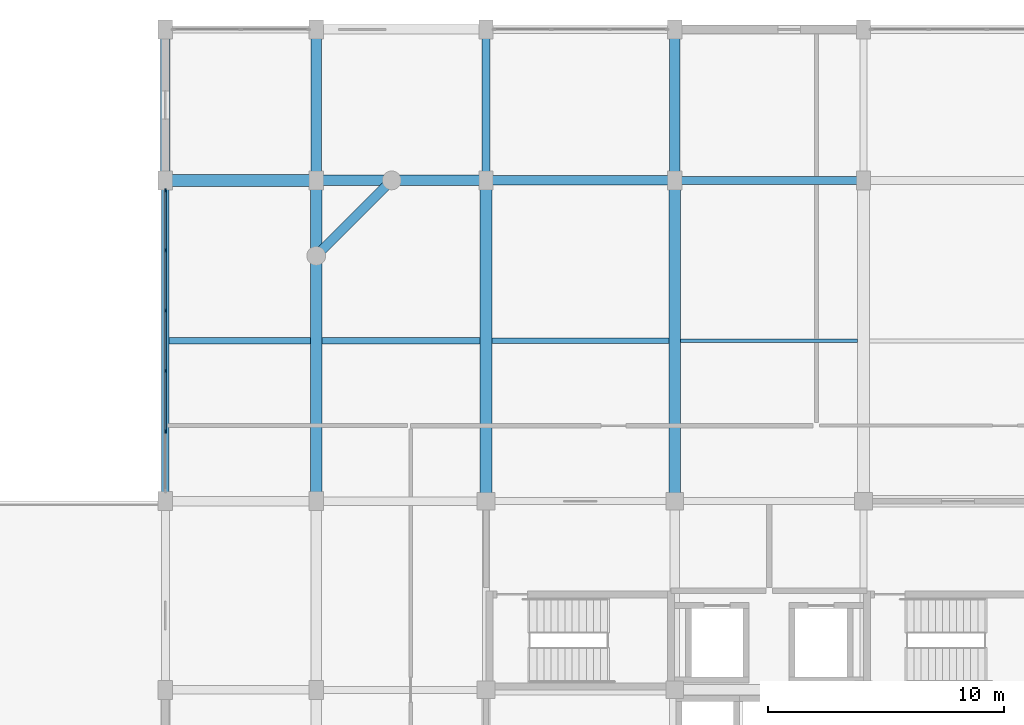
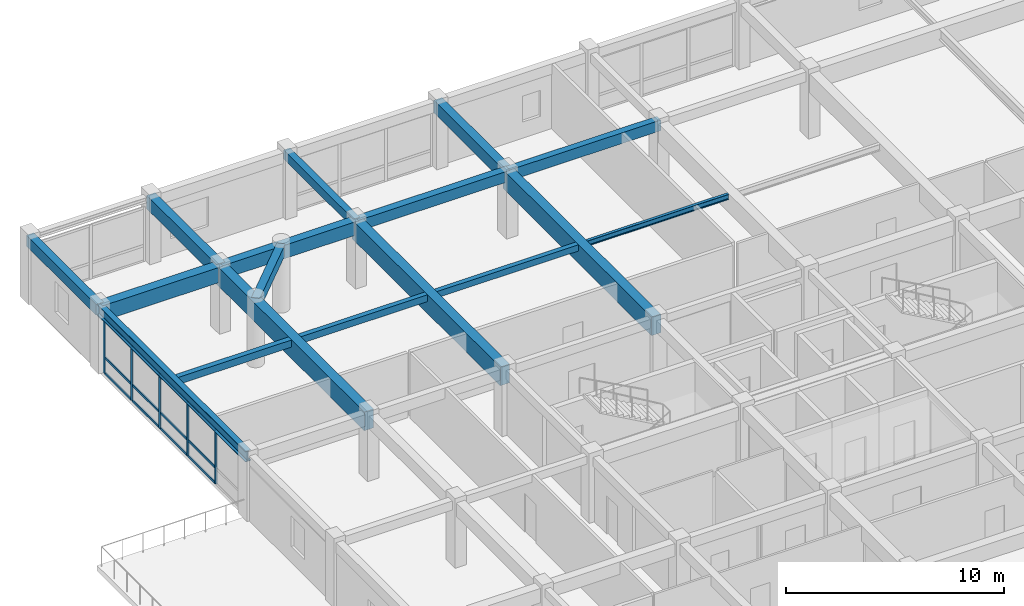
# One storey, part 6 of 14: 17 beams, 17 members, 1 element without a shape of its own.
"""IFC4 building model written with IfcOpenShell, lengths in metres."""

from ifc_helpers import new_model, si_unit, direction, frame, origin, origin_2d, place, context, subcontext, project, spatial, rectangle, i_section, extrude, material, material_profile, profile_set, type_object, element, aggregate, save


model = new_model("IFC4")

# Units and contexts
model_context = context("Model", 3, precision=1e-05, world=origin(), true_north=direction((0.0, 1.0)))
body_context = subcontext(model_context, "Body", "Model", "MODEL_VIEW")
ifc_project = project(units=[si_unit("LENGTHUNIT", "METRE"), si_unit("AREAUNIT", "SQUARE_METRE"), si_unit("VOLUMEUNIT", "CUBIC_METRE"), si_unit("PLANEANGLEUNIT", "RADIAN"), si_unit("MASSUNIT", "GRAM", prefix="KILO")], contexts=[model_context])

# Site, building, storey
site_placement = place(None, origin())
site = spatial("IfcSite", under=ifc_project, at=site_placement, CompositionType="ELEMENT")
building_placement = place(site_placement, origin())
building = spatial("IfcBuilding", under=site, at=building_placement, Name="Vellmiral Cinema and Media Centre", CompositionType="ELEMENT")
storey_placement = place(building_placement, frame((0.0, 0.0, 27.800048828125)))
storey = spatial("IfcBuildingStorey", under=building, at=storey_placement, Name="L06", CompositionType="ELEMENT", Elevation=27.800048828125)

# Beams
ifc_material_1 = material(Name="Concrete C40/50", Category="concrete")
ifc_material_profile_1 = material_profile(ifc_material_1, rectangle(XDim=0.35009765625, YDim=0.5, at=origin_2d()), Name="RC 350x500")
ifc_profile_set_1 = profile_set([ifc_material_profile_1], Name="Concrete C40/50")
beam_type_1 = type_object("IfcBeamType", Name="BM-RC-350x500", PredefinedType="BEAM", material=ifc_profile_set_1)
beam_1_placement = place(storey_placement, frame((124.0, 108.800048828125, 3.385009765625), z_axis=(0.0, 1.0, 0.0), x_axis=(-1.0, 0.0, 0.0)))
element("IfcBeam", 1, at=beam_1_placement, inside=storey, type_object=beam_type_1, Name="Grid Beam L06-Y066", PredefinedType="BEAM", context=body_context, shape_type="SweptSolid", body=[
    extrude(rectangle(XDim=0.35009765625, YDim=0.5, at=origin_2d()), origin(), (0.0, 0.0, 1.0), 6.39990234375),
])
ifc_material_2 = material(Name="Concrete C40/50", Category="concrete")
ifc_material_profile_2 = material_profile(ifc_material_2, rectangle(XDim=0.35009765625, YDim=0.60009765625, at=origin_2d()), Name="RC 350x600")
ifc_profile_set_2 = profile_set([ifc_material_profile_2], Name="Concrete C40/50")
beam_type_2 = type_object("IfcBeamType", Name="BM-RC-350x600", PredefinedType="BEAM", material=ifc_profile_set_2)
beam_2_placement = place(storey_placement, frame((132.0, 108.800048828125, 3.3349609375), z_axis=(1.0, 0.0, 0.0), x_axis=(0.0, 1.0, 0.0)))
element("IfcBeam", 2, at=beam_2_placement, inside=storey, type_object=beam_type_2, Name="Grid Beam L06-X039", PredefinedType="BEAM", context=body_context, shape_type="SweptSolid", body=[
    extrude(rectangle(XDim=0.35009765625, YDim=0.60009765625, at=origin_2d()), origin(), (0.0, 0.0, 1.0), 8.0),
])
ifc_material_3 = material(Name="Concrete C40/50", Category="concrete")
ifc_material_profile_3 = material_profile(ifc_material_3, rectangle(XDim=0.39990234375, YDim=0.60009765625, at=origin_2d()), Name="RC 400x600")
ifc_profile_set_3 = profile_set([ifc_material_profile_3], Name="Concrete C40/50")
beam_type_3 = type_object("IfcBeamType", Name="BM-RC-400x600", PredefinedType="BEAM", material=ifc_profile_set_3)
beam_3_placement = place(storey_placement, frame((124.0, 108.800048828125, 3.3349609375), z_axis=(1.0, 0.0, 0.0), x_axis=(0.0, 1.0, 0.0)))
element("IfcBeam", 3, at=beam_3_placement, inside=storey, type_object=beam_type_3, Name="Grid Beam L06-X038", PredefinedType="BEAM", context=body_context, shape_type="SweptSolid", body=[
    extrude(rectangle(XDim=0.39990234375, YDim=0.60009765625, at=origin_2d()), origin(), (0.0, 0.0, 1.0), 8.0),
])
ifc_material_4 = material(Name="Concrete C40/50", Category="concrete")
ifc_material_profile_4 = material_profile(ifc_material_4, rectangle(XDim=0.449951171875, YDim=0.699951171875, at=origin_2d()), Name="RC 450x700")
ifc_profile_set_4 = profile_set([ifc_material_profile_4], Name="Concrete C40/50")
beam_type_4 = type_object("IfcBeamType", Name="BM-RC-450x700", PredefinedType="BEAM", material=ifc_profile_set_4)
beam_4_placement = place(storey_placement, frame((132.0, 108.800048828125, 3.284912109375), z_axis=(0.0, 1.0, 0.0), x_axis=(-1.0, 0.0, 0.0)))
element("IfcBeam", 4, at=beam_4_placement, inside=storey, type_object=beam_type_4, Name="Grid Beam L06-Y072", PredefinedType="BEAM", context=body_context, shape_type="SweptSolid", body=[
    extrude(rectangle(XDim=0.449951171875, YDim=0.699951171875, at=origin_2d()), origin(), (0.0, 0.0, 1.0), 6.39990234375),
])
ifc_material_5 = material(Name="Concrete C40/50", Category="concrete")
ifc_material_profile_5 = material_profile(ifc_material_5, rectangle(XDim=0.449951171875, YDim=0.75, at=origin_2d()), Name="RC 450x750")
ifc_profile_set_5 = profile_set([ifc_material_profile_5], Name="Concrete C40/50")
beam_type_5 = type_object("IfcBeamType", Name="BM-RC-450x750", PredefinedType="BEAM", material=ifc_profile_set_5)
beam_5_placement = place(storey_placement, frame((116.800048828125, 108.800048828125, 3.260009765625), z_axis=(1.0, 0.0, 0.0), x_axis=(0.0, 1.0, 0.0)))
element("IfcBeam", 5, at=beam_5_placement, inside=storey, type_object=beam_type_5, Name="Grid Beam L06-X037", PredefinedType="BEAM", context=body_context, shape_type="SweptSolid", body=[
    extrude(rectangle(XDim=0.449951171875, YDim=0.75, at=origin_2d()), origin(), (0.0, 0.0, 1.0), 7.199951171875),
])
beam_6_placement = place(storey_placement, frame((116.800048828125, 108.800048828125, 3.260009765625), z_axis=(0.0, 1.0, 0.0), x_axis=(-1.0, 0.0, 0.0)))
element("IfcBeam", 6, at=beam_6_placement, inside=storey, type_object=beam_type_5, Name="Grid Beam L06-Y060", PredefinedType="BEAM", context=body_context, shape_type="SweptSolid", body=[
    extrude(rectangle(XDim=0.449951171875, YDim=0.75, at=origin_2d()), origin(), (0.0, 0.0, 1.0), 6.39990234375),
])
ifc_material_6 = material(Name="Concrete C40/50", Category="concrete")
ifc_material_profile_6 = material_profile(ifc_material_6, rectangle(XDim=0.5, YDim=0.85009765625, at=origin_2d()), Name="RC 500x850")
ifc_profile_set_6 = profile_set([ifc_material_profile_6], Name="Concrete C40/50")
beam_type_6 = type_object("IfcBeamType", Name="BM-RC-500x850", PredefinedType="BEAM", material=ifc_profile_set_6)
beam_7_placement = place(storey_placement, frame((110.39990234375, 108.800048828125, 3.2099609375), z_axis=(1.0, 0.0, 0.0), x_axis=(0.0, 1.0, 0.0)))
element("IfcBeam", 7, at=beam_7_placement, inside=storey, type_object=beam_type_6, Name="Grid Beam L06-X036", PredefinedType="BEAM", context=body_context, shape_type="SweptSolid", body=[
    extrude(rectangle(XDim=0.5, YDim=0.85009765625, at=origin_2d()), origin(), (0.0, 0.0, 1.0), 6.400146484375),
])
ifc_material_7 = material(Name="Concrete C40/50", Category="concrete")
ifc_material_profile_7 = material_profile(ifc_material_7, rectangle(XDim=0.5, YDim=1.050048828125, at=origin_2d()), Name="RC 500x1050")
ifc_profile_set_7 = profile_set([ifc_material_profile_7], Name="Concrete C40/50")
beam_type_7 = type_object("IfcBeamType", Name="BM-RCG-500x1050", PredefinedType="BEAM", material=ifc_profile_set_7)
for number, where, z_axis, x_axis, name in (
    (8, (116.800048828125, 95.199951171875, 3.10986328125), (0.0, 1.0, 0.0), (-1.0, 0.0, 0.0), "Grid Beam L06-Y059"),
    (9, (124.0, 95.199951171875, 3.10986328125), (0.0, 1.0, 0.0), (-1.0, 0.0, 0.0), "Grid Beam L06-Y065"),
    (10, (132.0, 95.199951171875, 3.10986328125), (0.0, 1.0, 0.0), (-1.0, 0.0, 0.0), "Grid Beam L06-Y071"),
):
    element("IfcBeam", number, at=place(storey_placement, frame(where, z_axis=z_axis, x_axis=x_axis)), inside=storey, type_object=beam_type_7, Name=name, PredefinedType="BEAM", context=body_context, shape_type="SweptSolid", body=[
        extrude(rectangle(XDim=0.5, YDim=1.050048828125, at=origin_2d()), origin(), (0.0, 0.0, 1.0), 13.60009765625),
    ])

# Curtain wall, members
ifc_material_8 = material(Name="Thermally Broken Aluminium and Triple Glazing", Category="aluminium")
curtain_wall_type = type_object("IfcCurtainWallType", Name="CW-TOWER-LOW-N", PredefinedType="USERDEFINED", material=ifc_material_8)
curtain_wall_placement = place(storey_placement, origin())
curtain_wall = element("IfcCurtainWall", 11, at=curtain_wall_placement, inside=storey, type_object=curtain_wall_type, Name="Curtain Wall L06-B025", ObjectType="UNITISED CURTAIN WALL", PredefinedType="USERDEFINED")
ifc_material_9 = material(Name="Thermally Broken Anodised Aluminium", Category="aluminium")
ifc_material_profile_8 = material_profile(ifc_material_9, rectangle(XDim=0.06494140625, YDim=0.159912109375, at=origin_2d()), Name="MULL 65x160")
ifc_profile_set_8 = profile_set([ifc_material_profile_8], Name="Thermally Broken Anodised Aluminium")
member_type_1 = type_object("IfcMemberType", Name="CWM-65x160", PredefinedType="MULLION", material=ifc_profile_set_8)
member_1_placement = place(storey_placement, frame((110.39990234375, 108.367431640625, 0.0), z_axis=(0.0, 0.0, 1.0), x_axis=(1.0, 0.0, 0.0)))
member_1 = element("IfcMember", 12, at=member_1_placement, type_object=member_type_1, Name="CW-05 mullion 1", PredefinedType="MULLION", context=body_context, shape_type="SweptSolid", body=[
    extrude(rectangle(XDim=0.06494140625, YDim=0.159912109375, at=origin_2d()), origin(), (0.0, 0.0, 1.0), 3.02490234375),
])
member_2_placement = place(storey_placement, frame((110.39990234375, 105.840087890625, 0.0), z_axis=(0.0, 0.0, 1.0), x_axis=(1.0, 0.0, 0.0)))
member_2 = element("IfcMember", 13, at=member_2_placement, type_object=member_type_1, Name="CW-05 mullion 2", PredefinedType="MULLION", context=body_context, shape_type="SweptSolid", body=[
    extrude(rectangle(XDim=0.06494140625, YDim=0.159912109375, at=origin_2d()), origin(), (0.0, 0.0, 1.0), 3.02490234375),
])
member_3_placement = place(storey_placement, frame((110.39990234375, 103.280029296875, 0.0), z_axis=(0.0, 0.0, 1.0), x_axis=(1.0, 0.0, 0.0)))
member_3 = element("IfcMember", 14, at=member_3_placement, type_object=member_type_1, Name="CW-05 mullion 3", PredefinedType="MULLION", context=body_context, shape_type="SweptSolid", body=[
    extrude(rectangle(XDim=0.06494140625, YDim=0.159912109375, at=origin_2d()), origin(), (0.0, 0.0, 1.0), 3.02490234375),
])
member_4_placement = place(storey_placement, frame((110.39990234375, 100.719970703125, 0.0), z_axis=(0.0, 0.0, 1.0), x_axis=(1.0, 0.0, 0.0)))
member_4 = element("IfcMember", 15, at=member_4_placement, type_object=member_type_1, Name="CW-05 mullion 4", PredefinedType="MULLION", context=body_context, shape_type="SweptSolid", body=[
    extrude(rectangle(XDim=0.06494140625, YDim=0.159912109375, at=origin_2d()), origin(), (0.0, 0.0, 1.0), 3.02490234375),
])
member_5_placement = place(storey_placement, frame((110.39990234375, 98.159912109375, 0.0), z_axis=(0.0, 0.0, 1.0), x_axis=(1.0, 0.0, 0.0)))
member_5 = element("IfcMember", 16, at=member_5_placement, type_object=member_type_1, Name="CW-05 mullion 5", PredefinedType="MULLION", context=body_context, shape_type="SweptSolid", body=[
    extrude(rectangle(XDim=0.06494140625, YDim=0.159912109375, at=origin_2d()), origin(), (0.0, 0.0, 1.0), 3.02490234375),
])
ifc_material_10 = material(Name="Thermally Broken Anodised Aluminium", Category="aluminium")
ifc_material_profile_9 = material_profile(ifc_material_10, rectangle(XDim=0.06494140625, YDim=0.135009765625, at=origin_2d()), Name="MULL 65x135")
ifc_profile_set_9 = profile_set([ifc_material_profile_9], Name="Thermally Broken Anodised Aluminium")
member_type_2 = type_object("IfcMemberType", Name="CWT-65x135", PredefinedType="USERDEFINED", material=ifc_profile_set_9)
member_6_placement = place(storey_placement, frame((110.39990234375, 108.3349609375, 0.032470703125), z_axis=(0.0, -1.0, 0.0), x_axis=(1.0, 0.0, 0.0)))
member_6 = element("IfcMember", 17, at=member_6_placement, type_object=member_type_2, Name="CW-05 transom 1.1", ObjectType="TRANSOM", PredefinedType="USERDEFINED", context=body_context, shape_type="SweptSolid", body=[
    extrude(rectangle(XDim=0.06494140625, YDim=0.135009765625, at=origin_2d()), origin(), (0.0, 0.0, 1.0), 2.46240234375),
])
member_7_placement = place(storey_placement, frame((110.39990234375, 108.3349609375, 0.89990234375), z_axis=(0.0, -1.0, 0.0), x_axis=(1.0, 0.0, 0.0)))
member_7 = element("IfcMember", 18, at=member_7_placement, type_object=member_type_2, Name="CW-05 transom 1.2", ObjectType="TRANSOM", PredefinedType="USERDEFINED", context=body_context, shape_type="SweptSolid", body=[
    extrude(rectangle(XDim=0.06494140625, YDim=0.135009765625, at=origin_2d()), origin(), (0.0, 0.0, 1.0), 2.46240234375),
])
member_8_placement = place(storey_placement, frame((110.39990234375, 108.3349609375, 2.992431640625), z_axis=(0.0, -1.0, 0.0), x_axis=(1.0, 0.0, 0.0)))
member_8 = element("IfcMember", 19, at=member_8_placement, type_object=member_type_2, Name="CW-05 transom 1.3", ObjectType="TRANSOM", PredefinedType="USERDEFINED", context=body_context, shape_type="SweptSolid", body=[
    extrude(rectangle(XDim=0.06494140625, YDim=0.135009765625, at=origin_2d()), origin(), (0.0, 0.0, 1.0), 2.46240234375),
])
member_9_placement = place(storey_placement, frame((110.39990234375, 105.8076171875, 0.032470703125), z_axis=(0.0, -1.0, 0.0), x_axis=(1.0, 0.0, 0.0)))
member_9 = element("IfcMember", 20, at=member_9_placement, type_object=member_type_2, Name="CW-05 transom 2.1", ObjectType="TRANSOM", PredefinedType="USERDEFINED", context=body_context, shape_type="SweptSolid", body=[
    extrude(rectangle(XDim=0.06494140625, YDim=0.135009765625, at=origin_2d()), origin(), (0.0, 0.0, 1.0), 2.4951171875),
])
member_10_placement = place(storey_placement, frame((110.39990234375, 105.8076171875, 0.89990234375), z_axis=(0.0, -1.0, 0.0), x_axis=(1.0, 0.0, 0.0)))
member_10 = element("IfcMember", 21, at=member_10_placement, type_object=member_type_2, Name="CW-05 transom 2.2", ObjectType="TRANSOM", PredefinedType="USERDEFINED", context=body_context, shape_type="SweptSolid", body=[
    extrude(rectangle(XDim=0.06494140625, YDim=0.135009765625, at=origin_2d()), origin(), (0.0, 0.0, 1.0), 2.4951171875),
])
member_11_placement = place(storey_placement, frame((110.39990234375, 105.8076171875, 2.992431640625), z_axis=(0.0, -1.0, 0.0), x_axis=(1.0, 0.0, 0.0)))
member_11 = element("IfcMember", 22, at=member_11_placement, type_object=member_type_2, Name="CW-05 transom 2.3", ObjectType="TRANSOM", PredefinedType="USERDEFINED", context=body_context, shape_type="SweptSolid", body=[
    extrude(rectangle(XDim=0.06494140625, YDim=0.135009765625, at=origin_2d()), origin(), (0.0, 0.0, 1.0), 2.4951171875),
])
member_12_placement = place(storey_placement, frame((110.39990234375, 103.24755859375, 0.032470703125), z_axis=(0.0, -1.0, 0.0), x_axis=(1.0, 0.0, 0.0)))
member_12 = element("IfcMember", 23, at=member_12_placement, type_object=member_type_2, Name="CW-05 transom 3.1", ObjectType="TRANSOM", PredefinedType="USERDEFINED", context=body_context, shape_type="SweptSolid", body=[
    extrude(rectangle(XDim=0.06494140625, YDim=0.135009765625, at=origin_2d()), origin(), (0.0, 0.0, 1.0), 2.4951171875),
])
member_13_placement = place(storey_placement, frame((110.39990234375, 103.24755859375, 0.89990234375), z_axis=(0.0, -1.0, 0.0), x_axis=(1.0, 0.0, 0.0)))
member_13 = element("IfcMember", 24, at=member_13_placement, type_object=member_type_2, Name="CW-05 transom 3.2", ObjectType="TRANSOM", PredefinedType="USERDEFINED", context=body_context, shape_type="SweptSolid", body=[
    extrude(rectangle(XDim=0.06494140625, YDim=0.135009765625, at=origin_2d()), origin(), (0.0, 0.0, 1.0), 2.4951171875),
])
member_14_placement = place(storey_placement, frame((110.39990234375, 103.24755859375, 2.992431640625), z_axis=(0.0, -1.0, 0.0), x_axis=(1.0, 0.0, 0.0)))
member_14 = element("IfcMember", 25, at=member_14_placement, type_object=member_type_2, Name="CW-05 transom 3.3", ObjectType="TRANSOM", PredefinedType="USERDEFINED", context=body_context, shape_type="SweptSolid", body=[
    extrude(rectangle(XDim=0.06494140625, YDim=0.135009765625, at=origin_2d()), origin(), (0.0, 0.0, 1.0), 2.4951171875),
])
member_15_placement = place(storey_placement, frame((110.39990234375, 100.6875, 0.032470703125), z_axis=(0.0, -1.0, 0.0), x_axis=(1.0, 0.0, 0.0)))
member_15 = element("IfcMember", 26, at=member_15_placement, type_object=member_type_2, Name="CW-05 transom 4.1", ObjectType="TRANSOM", PredefinedType="USERDEFINED", context=body_context, shape_type="SweptSolid", body=[
    extrude(rectangle(XDim=0.06494140625, YDim=0.135009765625, at=origin_2d()), origin(), (0.0, 0.0, 1.0), 2.4951171875),
])
member_16_placement = place(storey_placement, frame((110.39990234375, 100.6875, 0.89990234375), z_axis=(0.0, -1.0, 0.0), x_axis=(1.0, 0.0, 0.0)))
member_16 = element("IfcMember", 27, at=member_16_placement, type_object=member_type_2, Name="CW-05 transom 4.2", ObjectType="TRANSOM", PredefinedType="USERDEFINED", context=body_context, shape_type="SweptSolid", body=[
    extrude(rectangle(XDim=0.06494140625, YDim=0.135009765625, at=origin_2d()), origin(), (0.0, 0.0, 1.0), 2.4951171875),
])
member_17_placement = place(storey_placement, frame((110.39990234375, 100.6875, 2.992431640625), z_axis=(0.0, -1.0, 0.0), x_axis=(1.0, 0.0, 0.0)))
member_17 = element("IfcMember", 28, at=member_17_placement, type_object=member_type_2, Name="CW-05 transom 4.3", ObjectType="TRANSOM", PredefinedType="USERDEFINED", context=body_context, shape_type="SweptSolid", body=[
    extrude(rectangle(XDim=0.06494140625, YDim=0.135009765625, at=origin_2d()), origin(), (0.0, 0.0, 1.0), 2.4951171875),
])
aggregate(curtain_wall, [member_1, member_2, member_3, member_4, member_5, member_6, member_7, member_8, member_9, member_10, member_11, member_12, member_13, member_14, member_15, member_16, member_17])

# Beams
ifc_material_11 = material(Name="Concrete C40/50", Category="concrete")
ifc_material_profile_10 = material_profile(ifc_material_11, rectangle(XDim=0.25, YDim=0.35009765625, at=origin_2d()), Name="RC 250x350")
ifc_profile_set_10 = profile_set([ifc_material_profile_10], Name="Concrete C40/50")
beam_type_8 = type_object("IfcBeamType", Name="JST-RC-250x350", PredefinedType="JOIST", material=ifc_profile_set_10)
beam_8_placement = place(storey_placement, frame((124.25, 102.0, 3.4599609375), z_axis=(1.0, 0.0, 0.0), x_axis=(0.0, 1.0, 0.0)))
element("IfcBeam", 29, at=beam_8_placement, inside=storey, type_object=beam_type_8, Name="Secondary Floor Joist L06-003", PredefinedType="JOIST", context=body_context, shape_type="SweptSolid", body=[
    extrude(rectangle(XDim=0.25, YDim=0.35009765625, at=origin_2d()), origin(), (0.0, 0.0, 1.0), 7.5),
])
ifc_material_12 = material(Name="Concrete C40/50", Category="concrete")
ifc_material_profile_11 = material_profile(ifc_material_12, rectangle(XDim=0.260009765625, YDim=0.3798828125, at=origin_2d()), Name="RC 260x380")
ifc_profile_set_11 = profile_set([ifc_material_profile_11], Name="Concrete C40/50")
beam_type_9 = type_object("IfcBeamType", Name="JST-RC-260x380", PredefinedType="JOIST", material=ifc_profile_set_11)
beam_9_placement = place(storey_placement, frame((117.050048828125, 102.0, 3.445068359375), z_axis=(1.0, 0.0, 0.0), x_axis=(0.0, 1.0, 0.0)))
element("IfcBeam", 30, at=beam_9_placement, inside=storey, type_object=beam_type_9, Name="Secondary Floor Joist L06-002", PredefinedType="JOIST", context=body_context, shape_type="SweptSolid", body=[
    extrude(rectangle(XDim=0.260009765625, YDim=0.3798828125, at=origin_2d()), origin(), (0.0, 0.0, 1.0), 6.699951171875),
])
ifc_material_13 = material(Name="Concrete C40/50", Category="concrete")
ifc_material_profile_12 = material_profile(ifc_material_13, rectangle(XDim=0.280029296875, YDim=0.39990234375, at=origin_2d()), Name="RC 280x400")
ifc_profile_set_12 = profile_set([ifc_material_profile_12], Name="Concrete C40/50")
beam_type_10 = type_object("IfcBeamType", Name="JST-RC-280x400", PredefinedType="JOIST", material=ifc_profile_set_12)
beam_10_placement = place(storey_placement, frame((110.550048828125, 102.0, 3.43505859375), z_axis=(1.0, 0.0, 0.0), x_axis=(0.0, 1.0, 0.0)))
element("IfcBeam", 31, at=beam_10_placement, inside=storey, type_object=beam_type_10, Name="Secondary Floor Joist L06-001", PredefinedType="JOIST", context=body_context, shape_type="SweptSolid", body=[
    extrude(rectangle(XDim=0.280029296875, YDim=0.39990234375, at=origin_2d()), origin(), (0.0, 0.0, 1.0), 6.0),
])
ifc_material_14 = material(Name="Steel S355", Category="steel")
ifc_material_profile_13 = material_profile(ifc_material_14, i_section(OverallWidth=0.300048828125, OverallDepth=0.60009765625, WebThickness=0.015380859375, FlangeThickness=0.030029296875, FilletRadius=0.027099609375, at=origin_2d()), Name="HEB 600")
ifc_profile_set_13 = profile_set([ifc_material_profile_13], Name="Steel S355")
beam_type_11 = type_object("IfcBeamType", Name="SBM-HEB600-SPD", PredefinedType="SPANDREL", material=ifc_profile_set_13)
beam_11_placement = place(storey_placement, frame((110.39990234375, 95.199951171875, 3.3349609375), z_axis=(0.0, 1.0, 0.0), x_axis=(-1.0, 0.0, 0.0)))
element("IfcBeam", 32, at=beam_11_placement, inside=storey, type_object=beam_type_11, Name="Grid Beam L06-Y053", PredefinedType="SPANDREL", context=body_context, shape_type="SweptSolid", body=[
    extrude(i_section(OverallWidth=0.300048828125, OverallDepth=0.60009765625, WebThickness=0.015380859375, FlangeThickness=0.030029296875, FilletRadius=0.027099609375, at=origin_2d()), origin(), (0.0, 0.0, 1.0), 13.60009765625),
])
ifc_material_15 = material(Name="Steel S355", Category="steel")
ifc_material_profile_14 = material_profile(ifc_material_15, i_section(OverallWidth=0.14990234375, OverallDepth=0.300048828125, WebThickness=0.007080078125, FlangeThickness=0.0107421875, FilletRadius=0.014892578125, at=origin_2d()), Name="IPE 300")
ifc_profile_set_14 = profile_set([ifc_material_profile_14], Name="Steel S355")
beam_type_12 = type_object("IfcBeamType", Name="SBM-IPE300", PredefinedType="JOIST", material=ifc_profile_set_14)
beam_12_placement = place(storey_placement, frame((132.25, 102.0, 3.48486328125), z_axis=(1.0, 0.0, 0.0), x_axis=(0.0, 1.0, 0.0)))
element("IfcBeam", 33, at=beam_12_placement, inside=storey, type_object=beam_type_12, Name="Secondary Floor Joist L06-004", PredefinedType="JOIST", context=body_context, shape_type="SweptSolid", body=[
    extrude(i_section(OverallWidth=0.14990234375, OverallDepth=0.300048828125, WebThickness=0.007080078125, FlangeThickness=0.0107421875, FilletRadius=0.014892578125, at=origin_2d()), origin(), (0.0, 0.0, 1.0), 7.5),
])
ifc_material_16 = material(Name="Concrete C40/50", Category="concrete")
ifc_material_profile_15 = material_profile(ifc_material_16, rectangle(XDim=0.39990234375, YDim=0.60009765625, at=origin_2d()), Name="RC 400x600")
ifc_profile_set_15 = profile_set([ifc_material_profile_15], Name="Concrete C40/50")
beam_type_13 = type_object("IfcBeamType", Name="SPD-RC-400x600", PredefinedType="SPANDREL", material=ifc_profile_set_15)
beam_13_placement = place(storey_placement, frame((110.39990234375, 108.800048828125, 3.3349609375), z_axis=(0.0, 1.0, 0.0), x_axis=(-1.0, 0.0, 0.0)))
element("IfcBeam", 34, at=beam_13_placement, inside=storey, type_object=beam_type_13, Name="Grid Beam L06-Y054", PredefinedType="SPANDREL", context=body_context, shape_type="SweptSolid", body=[
    extrude(rectangle(XDim=0.39990234375, YDim=0.60009765625, at=origin_2d()), origin(), (0.0, 0.0, 1.0), 6.39990234375),
])
beam_14_placement = place(storey_placement, frame((116.800048828125, 105.60009765625, 3.3349609375), z_axis=(0.707106781187, 0.707106781187, 0.0), x_axis=(-0.707106781187, 0.707106781187, 0.0)))
element("IfcBeam", 35, at=beam_14_placement, inside=storey, type_object=beam_type_13, Name="Xamfra Chamfer Spandrel Beam L06-097", PredefinedType="SPANDREL", context=body_context, shape_type="SweptSolid", body=[
    extrude(rectangle(XDim=0.39990234375, YDim=0.60009765625, at=origin_2d()), origin(), (0.0, 0.0, 1.0), 4.525390625),
])

save(model, "model.ifc")
